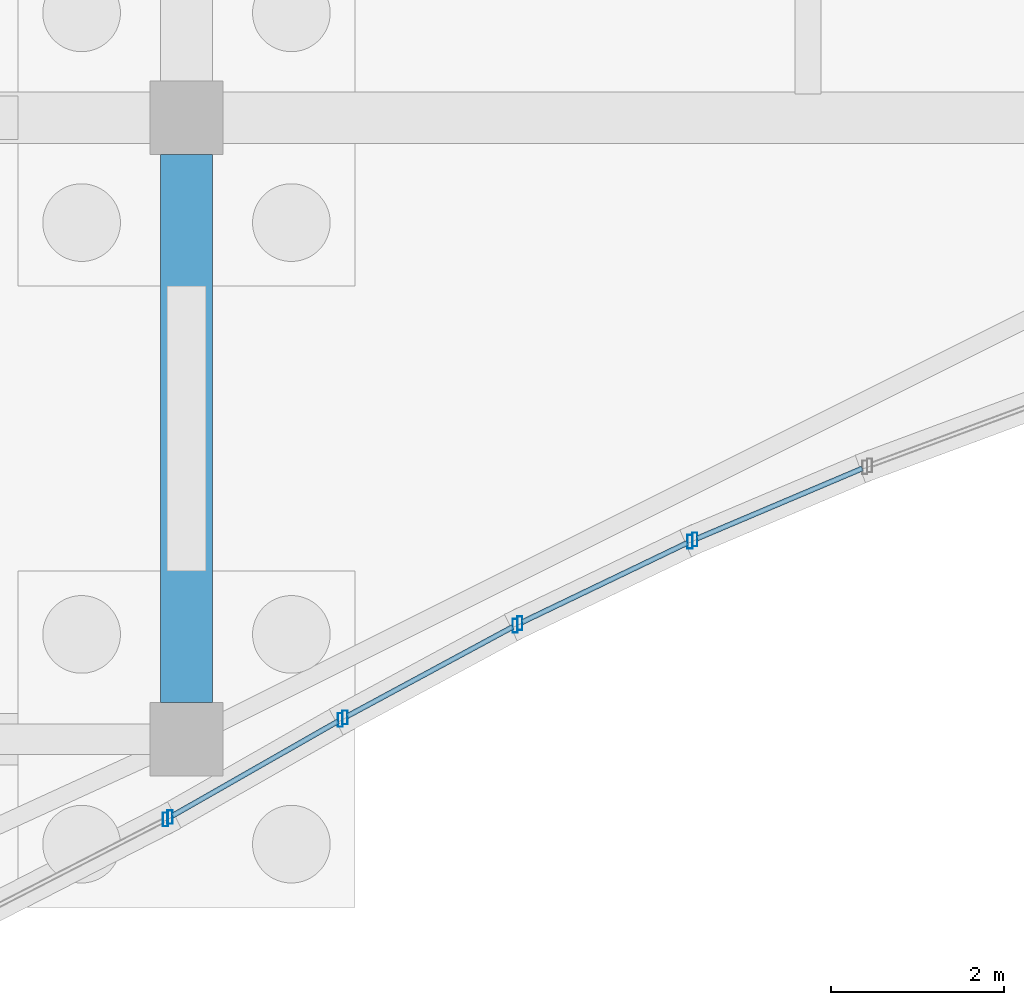
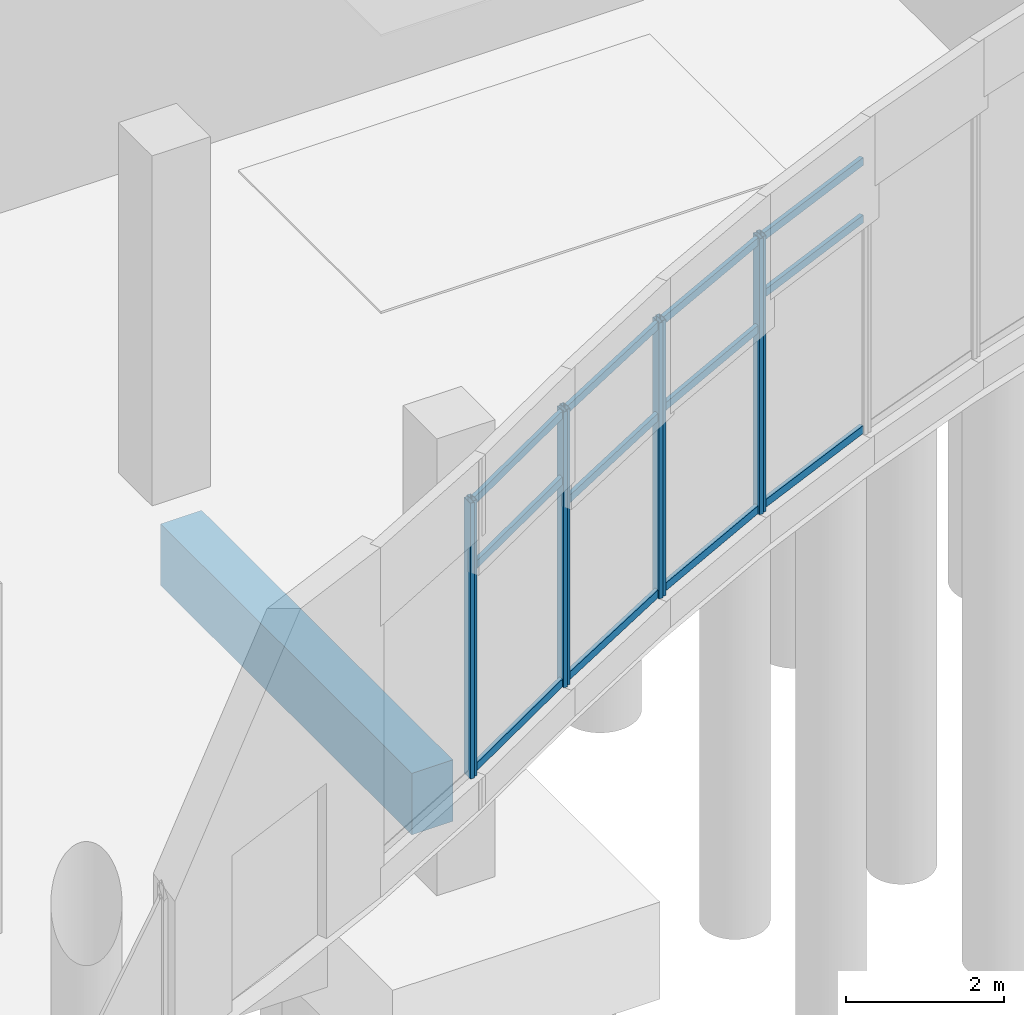
# One storey, part 46 of 192: 20 members, 1 beam, 5 elements without a shape of their own.
"""IFC4 building model written with IfcOpenShell, lengths in metres."""

from ifc_helpers import new_model, si_unit, direction, frame, origin, origin_2d, place, context, subcontext, project, spatial, rectangle, hollow_rectangle, extrude, material, material_profile, profile_set, type_object, element, aggregate, save


model = new_model("IFC4")

# Units and contexts
model_context = context("Model", 3, precision=1e-05, world=origin(), true_north=direction((0.0, 1.0)))
body_context = subcontext(model_context, "Body", "Model", "MODEL_VIEW")
ifc_project = project(units=[si_unit("LENGTHUNIT", "METRE"), si_unit("AREAUNIT", "SQUARE_METRE"), si_unit("VOLUMEUNIT", "CUBIC_METRE"), si_unit("PLANEANGLEUNIT", "RADIAN"), si_unit("MASSUNIT", "GRAM", prefix="KILO")], contexts=[model_context])

# Site, building, storey
site_placement = place(None, origin())
site = spatial("IfcSite", under=ifc_project, at=site_placement, CompositionType="ELEMENT")
building_placement = place(site_placement, origin())
building = spatial("IfcBuilding", under=site, at=building_placement, Name="Cendralis Lancet Convention Centre", CompositionType="ELEMENT")
storey_placement = place(building_placement, origin())
storey = spatial("IfcBuildingStorey", under=building, at=storey_placement, Name="L00", CompositionType="ELEMENT", Elevation=0.0)

# Curtain wall, member
ifc_material_1 = material(Name="Anodised bronze architectural aluminium", Category="aluminium")
curtain_wall_type = type_object("IfcCurtainWallType", Name="ARC-CW-WF01", PredefinedType="USERDEFINED", material=ifc_material_1)
curtain_wall_1_placement = place(storey_placement, origin())
curtain_wall_1 = element("IfcCurtainWall", 1, at=curtain_wall_1_placement, inside=storey, type_object=curtain_wall_type, Name="L00 Curtain Wall CW-WF1 #033", ObjectType="CURTAIN WALL", PredefinedType="USERDEFINED")
ifc_material_profile_1 = material_profile(ifc_material_1, hollow_rectangle(XDim=0.06005859375, YDim=0.159912109375, WallThickness=0.00390625, at=origin_2d()), Name="AL-MULL 60x160x4.0")
ifc_profile_set_1 = profile_set([ifc_material_profile_1], Name="Anodised bronze architectural aluminium")
member_type_1 = type_object("IfcMemberType", Name="ARC-CW-ML01", PredefinedType="MULLION", material=ifc_profile_set_1)
member_1_placement = place(storey_placement, frame((78.957275390625, 6.270263671875, 0.449951171875), z_axis=(0.0, 0.0, 1.0), x_axis=(1.0, 0.0, 0.0)))
member_1 = element("IfcMember", 2, at=member_1_placement, type_object=member_type_1, Name="Mullion CW2-CW-WF1-L00-033-M1", PredefinedType="MULLION", context=body_context, shape_type="SweptSolid", body=[
    extrude(hollow_rectangle(XDim=0.06005859375, YDim=0.159912109375, WallThickness=0.00390625, at=origin_2d()), origin(), (0.0, 0.0, 1.0), 4.255126953125),
])
aggregate(curtain_wall_1, [member_1])

# Curtain wall, members
curtain_wall_2_placement = place(storey_placement, origin())
curtain_wall_2 = element("IfcCurtainWall", 3, at=curtain_wall_2_placement, inside=storey, type_object=curtain_wall_type, Name="L00 Curtain Wall CW-WF1 #034", ObjectType="CURTAIN WALL", PredefinedType="USERDEFINED")
member_2_placement = place(storey_placement, frame((79.010009765625, 6.298828125, 0.449951171875), z_axis=(0.0, 0.0, 1.0), x_axis=(1.0, 0.0, 0.0)))
member_2 = element("IfcMember", 4, at=member_2_placement, type_object=member_type_1, Name="Mullion CW2-CW-WF1-L00-034-M0", PredefinedType="MULLION", context=body_context, shape_type="SweptSolid", body=[
    extrude(hollow_rectangle(XDim=0.06005859375, YDim=0.159912109375, WallThickness=0.00390625, at=origin_2d()), origin(), (0.0, 0.0, 1.0), 4.255126953125),
])
member_3_placement = place(storey_placement, frame((80.98291015625, 7.424072265625, 0.449951171875), z_axis=(0.0, 0.0, 1.0), x_axis=(1.0, 0.0, 0.0)))
member_3 = element("IfcMember", 5, at=member_3_placement, type_object=member_type_1, Name="Mullion CW2-CW-WF1-L00-034-M1", PredefinedType="MULLION", context=body_context, shape_type="SweptSolid", body=[
    extrude(hollow_rectangle(XDim=0.06005859375, YDim=0.159912109375, WallThickness=0.00390625, at=origin_2d()), origin(), (0.0, 0.0, 1.0), 4.255126953125),
])

curtain_wall_3_placement = place(storey_placement, origin())
curtain_wall_3 = element("IfcCurtainWall", 6, at=curtain_wall_3_placement, inside=storey, type_object=curtain_wall_type, Name="L00 Curtain Wall CW-WF1 #035", ObjectType="CURTAIN WALL", PredefinedType="USERDEFINED")
member_4_placement = place(storey_placement, frame((81.035400390625, 7.453125, 0.449951171875), z_axis=(0.0, 0.0, 1.0), x_axis=(1.0, 0.0, 0.0)))
member_4 = element("IfcMember", 7, at=member_4_placement, type_object=member_type_1, Name="Mullion CW2-CW-WF1-L00-035-M0", PredefinedType="MULLION", context=body_context, shape_type="SweptSolid", body=[
    extrude(hollow_rectangle(XDim=0.06005859375, YDim=0.159912109375, WallThickness=0.00390625, at=origin_2d()), origin(), (0.0, 0.0, 1.0), 4.255126953125),
])
member_5_placement = place(storey_placement, frame((83.007568359375, 8.516845703125, 0.449951171875), z_axis=(0.0, 0.0, 1.0), x_axis=(1.0, 0.0, 0.0)))
member_5 = element("IfcMember", 8, at=member_5_placement, type_object=member_type_1, Name="Mullion CW2-CW-WF1-L00-035-M1", PredefinedType="MULLION", context=body_context, shape_type="SweptSolid", body=[
    extrude(hollow_rectangle(XDim=0.06005859375, YDim=0.159912109375, WallThickness=0.00390625, at=origin_2d()), origin(), (0.0, 0.0, 1.0), 4.255126953125),
])

curtain_wall_4_placement = place(storey_placement, origin())
curtain_wall_4 = element("IfcCurtainWall", 9, at=curtain_wall_4_placement, inside=storey, type_object=curtain_wall_type, Name="L00 Curtain Wall CW-WF1 #036", ObjectType="CURTAIN WALL", PredefinedType="USERDEFINED")
member_6_placement = place(storey_placement, frame((83.06103515625, 8.5439453125, 0.449951171875), z_axis=(0.0, 0.0, 1.0), x_axis=(1.0, 0.0, 0.0)))
member_6 = element("IfcMember", 10, at=member_6_placement, type_object=member_type_1, Name="Mullion CW2-CW-WF1-L00-036-M0", PredefinedType="MULLION", context=body_context, shape_type="SweptSolid", body=[
    extrude(hollow_rectangle(XDim=0.06005859375, YDim=0.159912109375, WallThickness=0.00390625, at=origin_2d()), origin(), (0.0, 0.0, 1.0), 4.255126953125),
])
member_7_placement = place(storey_placement, frame((85.032958984375, 9.489990234375, 0.449951171875), z_axis=(0.0, 0.0, 1.0), x_axis=(1.0, 0.0, 0.0)))
member_7 = element("IfcMember", 11, at=member_7_placement, type_object=member_type_1, Name="Mullion CW2-CW-WF1-L00-036-M1", PredefinedType="MULLION", context=body_context, shape_type="SweptSolid", body=[
    extrude(hollow_rectangle(XDim=0.06005859375, YDim=0.159912109375, WallThickness=0.00390625, at=origin_2d()), origin(), (0.0, 0.0, 1.0), 4.255126953125),
])

# Curtain wall, member
curtain_wall_5_placement = place(storey_placement, origin())
curtain_wall_5 = element("IfcCurtainWall", 12, at=curtain_wall_5_placement, inside=storey, type_object=curtain_wall_type, Name="L00 Curtain Wall CW-WF1 #037", ObjectType="CURTAIN WALL", PredefinedType="USERDEFINED")
member_8_placement = place(storey_placement, frame((85.087646484375, 9.5146484375, 0.449951171875), z_axis=(0.0, 0.0, 1.0), x_axis=(1.0, 0.0, 0.0)))
member_8 = element("IfcMember", 13, at=member_8_placement, type_object=member_type_1, Name="Mullion CW2-CW-WF1-L00-037-M0", PredefinedType="MULLION", context=body_context, shape_type="SweptSolid", body=[
    extrude(hollow_rectangle(XDim=0.06005859375, YDim=0.159912109375, WallThickness=0.00390625, at=origin_2d()), origin(), (0.0, 0.0, 1.0), 4.255126953125),
])

# Member
ifc_material_profile_2 = material_profile(ifc_material_1, hollow_rectangle(XDim=0.06005859375, YDim=0.1201171875, WallThickness=0.00390625, at=origin_2d()), Name="AL-TRAN 60x120x4.0")
ifc_profile_set_2 = profile_set([ifc_material_profile_2], Name="Anodised bronze architectural aluminium")
member_type_2 = type_object("IfcMemberType", Name="ARC-CW-TR01", PredefinedType="USERDEFINED", material=ifc_profile_set_2)
member_9_placement = place(storey_placement, frame((79.0361328125, 6.313720703125, 0.510009765625), z_axis=(0.868643754195, 0.495437209238, 0.0), x_axis=(-0.495437209238, 0.868643754195, 0.0)))
member_9 = element("IfcMember", 14, at=member_9_placement, type_object=member_type_2, Name="Transom CW2-CW-WF1-L00-034-T0BOT", ObjectType="TRANSOM", PredefinedType="USERDEFINED", context=body_context, shape_type="SweptSolid", body=[
    extrude(hollow_rectangle(XDim=0.06005859375, YDim=0.1201171875, WallThickness=0.00390625, at=origin_2d()), origin(), (0.0, 0.0, 1.0), 2.211181640625),
])

member_10_placement = place(storey_placement, frame((79.0361328125, 6.313720703125, 3.6279296875), z_axis=(0.868643754195, 0.495437209238, 0.0), x_axis=(-0.495437209238, 0.868643754195, 0.0)))
member_10 = element("IfcMember", 15, at=member_10_placement, type_object=member_type_2, Name="Transom CW2-CW-WF1-L00-034-T0MID", ObjectType="TRANSOM", PredefinedType="USERDEFINED", context=body_context, shape_type="SweptSolid", body=[
    extrude(hollow_rectangle(XDim=0.06005859375, YDim=0.1201171875, WallThickness=0.00390625, at=origin_2d()), origin(), (0.0, 0.0, 1.0), 2.211181640625),
])

member_11_placement = place(storey_placement, frame((79.0361328125, 6.313720703125, 4.64501953125), z_axis=(0.868643754195, 0.495437209238, 0.0), x_axis=(-0.495437209238, 0.868643754195, 0.0)))
member_11 = element("IfcMember", 16, at=member_11_placement, type_object=member_type_2, Name="Transom CW2-CW-WF1-L00-034-T0TOP", ObjectType="TRANSOM", PredefinedType="USERDEFINED", context=body_context, shape_type="SweptSolid", body=[
    extrude(hollow_rectangle(XDim=0.06005859375, YDim=0.1201171875, WallThickness=0.00390625, at=origin_2d()), origin(), (0.0, 0.0, 1.0), 2.211181640625),
])

aggregate(curtain_wall_2, [member_2, member_3, member_9, member_10, member_11])

member_12_placement = place(storey_placement, frame((81.061767578125, 7.467529296875, 0.510009765625), z_axis=(0.880208532941, 0.474587124286, 0.0), x_axis=(-0.474587124286, 0.880208532941, 0.0)))
member_12 = element("IfcMember", 17, at=member_12_placement, type_object=member_type_2, Name="Transom CW2-CW-WF1-L00-035-T0BOT", ObjectType="TRANSOM", PredefinedType="USERDEFINED", context=body_context, shape_type="SweptSolid", body=[
    extrude(hollow_rectangle(XDim=0.06005859375, YDim=0.1201171875, WallThickness=0.00390625, at=origin_2d()), origin(), (0.0, 0.0, 1.0), 2.1806640625),
])

member_13_placement = place(storey_placement, frame((81.061767578125, 7.467529296875, 3.236083984375), z_axis=(0.880208532941, 0.474587124286, 0.0), x_axis=(-0.474587124286, 0.880208532941, 0.0)))
member_13 = element("IfcMember", 18, at=member_13_placement, type_object=member_type_2, Name="Transom CW2-CW-WF1-L00-035-T0MID", ObjectType="TRANSOM", PredefinedType="USERDEFINED", context=body_context, shape_type="SweptSolid", body=[
    extrude(hollow_rectangle(XDim=0.06005859375, YDim=0.1201171875, WallThickness=0.00390625, at=origin_2d()), origin(), (0.0, 0.0, 1.0), 2.1806640625),
])

member_14_placement = place(storey_placement, frame((81.061767578125, 7.467529296875, 4.64501953125), z_axis=(0.880208532941, 0.474587124286, 0.0), x_axis=(-0.474587124286, 0.880208532941, 0.0)))
member_14 = element("IfcMember", 19, at=member_14_placement, type_object=member_type_2, Name="Transom CW2-CW-WF1-L00-035-T0TOP", ObjectType="TRANSOM", PredefinedType="USERDEFINED", context=body_context, shape_type="SweptSolid", body=[
    extrude(hollow_rectangle(XDim=0.06005859375, YDim=0.1201171875, WallThickness=0.00390625, at=origin_2d()), origin(), (0.0, 0.0, 1.0), 2.1806640625),
])

aggregate(curtain_wall_3, [member_4, member_5, member_12, member_13, member_14])

member_15_placement = place(storey_placement, frame((83.088134765625, 8.556884765625, 0.510009765625), z_axis=(0.901585735919, 0.432600463231, 0.0), x_axis=(-0.432600463231, 0.901585735919, 0.0)))
member_15 = element("IfcMember", 20, at=member_15_placement, type_object=member_type_2, Name="Transom CW2-CW-WF1-L00-036-T0BOT", ObjectType="TRANSOM", PredefinedType="USERDEFINED", context=body_context, shape_type="SweptSolid", body=[
    extrude(hollow_rectangle(XDim=0.06005859375, YDim=0.1201171875, WallThickness=0.00390625, at=origin_2d()), origin(), (0.0, 0.0, 1.0), 2.126953125),
])

member_16_placement = place(storey_placement, frame((83.088134765625, 8.556884765625, 3.29296875), z_axis=(0.901585735919, 0.432600463231, 0.0), x_axis=(-0.432600463231, 0.901585735919, 0.0)))
member_16 = element("IfcMember", 21, at=member_16_placement, type_object=member_type_2, Name="Transom CW2-CW-WF1-L00-036-T0MID", ObjectType="TRANSOM", PredefinedType="USERDEFINED", context=body_context, shape_type="SweptSolid", body=[
    extrude(hollow_rectangle(XDim=0.06005859375, YDim=0.1201171875, WallThickness=0.00390625, at=origin_2d()), origin(), (0.0, 0.0, 1.0), 2.126953125),
])

member_17_placement = place(storey_placement, frame((83.088134765625, 8.556884765625, 4.64501953125), z_axis=(0.901585735919, 0.432600463231, 0.0), x_axis=(-0.432600463231, 0.901585735919, 0.0)))
member_17 = element("IfcMember", 22, at=member_17_placement, type_object=member_type_2, Name="Transom CW2-CW-WF1-L00-036-T0TOP", ObjectType="TRANSOM", PredefinedType="USERDEFINED", context=body_context, shape_type="SweptSolid", body=[
    extrude(hollow_rectangle(XDim=0.06005859375, YDim=0.1201171875, WallThickness=0.00390625, at=origin_2d()), origin(), (0.0, 0.0, 1.0), 2.126953125),
])

aggregate(curtain_wall_4, [member_6, member_7, member_15, member_16, member_17])

member_18_placement = place(storey_placement, frame((85.115234375, 9.5263671875, 0.510009765625), z_axis=(0.920746716424, 0.390160844004, 0.0), x_axis=(-0.390160844004, 0.920746716424, 0.0)))
member_18 = element("IfcMember", 23, at=member_18_placement, type_object=member_type_2, Name="Transom CW2-CW-WF1-L00-037-T0BOT", ObjectType="TRANSOM", PredefinedType="USERDEFINED", context=body_context, shape_type="SweptSolid", body=[
    extrude(hollow_rectangle(XDim=0.06005859375, YDim=0.1201171875, WallThickness=0.00390625, at=origin_2d()), origin(), (0.0, 0.0, 1.0), 2.079345703125),
])

member_19_placement = place(storey_placement, frame((85.115234375, 9.5263671875, 3.758056640625), z_axis=(0.920746716424, 0.390160844004, 0.0), x_axis=(-0.390160844004, 0.920746716424, 0.0)))
member_19 = element("IfcMember", 24, at=member_19_placement, type_object=member_type_2, Name="Transom CW2-CW-WF1-L00-037-T0MID", ObjectType="TRANSOM", PredefinedType="USERDEFINED", context=body_context, shape_type="SweptSolid", body=[
    extrude(hollow_rectangle(XDim=0.06005859375, YDim=0.1201171875, WallThickness=0.00390625, at=origin_2d()), origin(), (0.0, 0.0, 1.0), 2.079345703125),
])

member_20_placement = place(storey_placement, frame((85.115234375, 9.5263671875, 4.64501953125), z_axis=(0.920746716424, 0.390160844004, 0.0), x_axis=(-0.390160844004, 0.920746716424, 0.0)))
member_20 = element("IfcMember", 25, at=member_20_placement, type_object=member_type_2, Name="Transom CW2-CW-WF1-L00-037-T0TOP", ObjectType="TRANSOM", PredefinedType="USERDEFINED", context=body_context, shape_type="SweptSolid", body=[
    extrude(hollow_rectangle(XDim=0.06005859375, YDim=0.1201171875, WallThickness=0.00390625, at=origin_2d()), origin(), (0.0, 0.0, 1.0), 2.079345703125),
])

aggregate(curtain_wall_5, [member_8, member_18, member_19, member_20])

# Beam
ifc_material_2 = material(Name="Concrete G40 (C40/50)", Category="concrete")
ifc_material_profile_3 = material_profile(ifc_material_2, rectangle(XDim=0.60009765625, YDim=0.949951171875, at=origin_2d()), Name="RCB 600x950")
ifc_profile_set_3 = profile_set([ifc_material_profile_3], Name="Concrete G40 (C40/50)")
beam_type = type_object("IfcBeamType", Name="STR-BM-BG04", PredefinedType="BEAM", material=ifc_profile_set_3)
beam_placement = place(storey_placement, frame((79.199951171875, 7.625, -0.794921875), z_axis=(0.0, 1.0, 0.0), x_axis=(-1.0, 0.0, 0.0)))
element("IfcBeam", 26, at=beam_placement, inside=storey, type_object=beam_type, Name="L00 Beam BG04 #0708", PredefinedType="BEAM", context=body_context, shape_type="SweptSolid", body=[
    extrude(rectangle(XDim=0.60009765625, YDim=0.949951171875, at=origin_2d()), origin(), (0.0, 0.0, 1.0), 6.35009765625),
])

save(model, "model.ifc")
